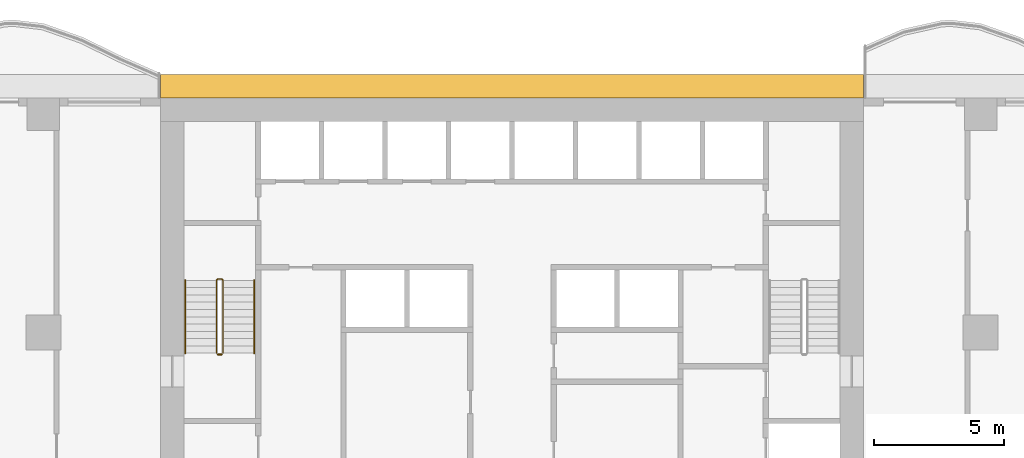
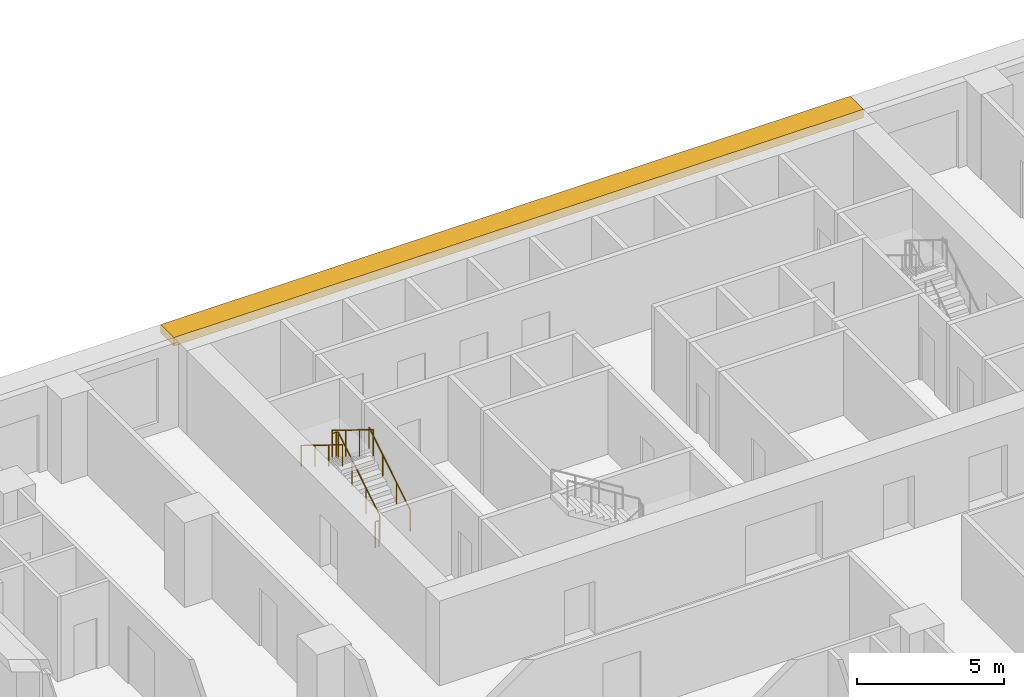
# One storey, part 12 of 14: 4 railings, 1 shading device.
"""IFC4 building model written with IfcOpenShell, lengths in metres."""

import ifcopenshell
import ifcopenshell.guid

model = None  # the IFC model being written
_history = None  # IfcOwnerHistory: only IFC2X3 demands one
_inside = {}  # id of a spatial element -> (the spatial element, [elements in it])
_under = {}  # id of a project, library or spatial element -> (it, [spatial elements below it])
_declared = {}  # id of a project -> (the project, [libraries it declares])
_typed = {}  # id of a type object -> (the type object, [elements of that type])
_made_of = {}  # id of a material, layer set ... -> (it, [elements and type objects made of it])


def new_model(schema):
    """Start an empty IFC model of exactly this schema.

    Asked for "IFC4X3", IfcOpenShell would pick the latest addendum, in which some entities
    have other attributes; the version numbers below select the first issue.
    IFC2X3 requires an IfcOwnerHistory on every rooted entity: one is made here for all.
    """
    global model, _history
    if schema == "IFC4X3":
        model = ifcopenshell.file(schema_version=(4, 3, 0, 0))
    else:
        model = ifcopenshell.file(schema=schema)
    _inside.clear()
    _under.clear()
    _declared.clear()
    _typed.clear()
    _made_of.clear()
    _history = None
    if model.schema == "IFC2X3":
        org = make("IfcOrganization", Name="unknown")
        user = make(
            "IfcPersonAndOrganization",
            ThePerson=make("IfcPerson", FamilyName="unknown"),
            TheOrganization=org,
        )
        app = make(
            "IfcApplication",
            ApplicationDeveloper=org,
            Version="unknown",
            ApplicationFullName="unknown",
            ApplicationIdentifier="unknown",
        )
        _history = make(
            "IfcOwnerHistory",
            OwningUser=user,
            OwningApplication=app,
            ChangeAction="ADDED",
            CreationDate=0,
        )
    return model


def make(cls, **values):
    """One entity of the class cls with the attributes given. An attribute that is None is left unset."""
    return model.create_entity(
        cls, **{name: value for name, value in values.items() if value is not None}
    )


def rooted(cls, **values):
    """An entity with a GlobalId (a new one), such as an element, a storey or a relation."""
    return make(cls, GlobalId=ifcopenshell.guid.new(), OwnerHistory=_history, **values)


def si_unit(unit_type, name, prefix=None):
    """IfcSIUnit, for example si_unit("LENGTHUNIT", "METRE", prefix="MILLI")."""
    return make("IfcSIUnit", UnitType=unit_type, Prefix=prefix, Name=name)


def assignment(units):
    """IfcUnitAssignment: the units of a project."""
    return None if units is None else make("IfcUnitAssignment", Units=units)


def point(xyz):
    """IfcCartesianPoint."""
    return None if xyz is None else make("IfcCartesianPoint", Coordinates=xyz)


def direction(xyz):
    """IfcDirection."""
    return None if xyz is None else make("IfcDirection", DirectionRatios=xyz)


def frame(location, z_axis=None, x_axis=None):
    """IfcAxis2Placement3D, a coordinate frame: its origin and axes. An axis left out is left unset."""
    return make(
        "IfcAxis2Placement3D",
        Location=point(location),
        Axis=direction(z_axis),
        RefDirection=direction(x_axis),
    )


def frame_2d(location, x_axis=None):
    """IfcAxis2Placement2D, a coordinate frame in the plane: its origin and x axis."""
    return make(
        "IfcAxis2Placement2D", Location=point(location), RefDirection=direction(x_axis)
    )


def origin():
    """The frame at (0, 0, 0) with its axes left unset."""
    return frame((0.0, 0.0, 0.0))


def origin_2d():
    """The frame at (0, 0) in the plane with its x axis left unset."""
    return frame_2d((0.0, 0.0))


def place(relative_to, where):
    """IfcLocalPlacement: puts the frame where relative to a parent placement (None: the world)."""
    return make(
        "IfcLocalPlacement", PlacementRelTo=relative_to, RelativePlacement=where
    )


def context(
    kind, dimensions, precision=None, world=None, true_north=None, identifier=None
):
    """IfcGeometricRepresentationContext, for example the 3D "Model" context."""
    return make(
        "IfcGeometricRepresentationContext",
        ContextIdentifier=identifier,
        ContextType=kind,
        CoordinateSpaceDimension=dimensions,
        Precision=precision,
        WorldCoordinateSystem=world,
        TrueNorth=true_north,
    )


def subcontext(parent, identifier, kind, view, scale=None):
    """IfcGeometricRepresentationSubContext, for example "Body" below "Model"."""
    return make(
        "IfcGeometricRepresentationSubContext",
        ContextIdentifier=identifier,
        ContextType=kind,
        ParentContext=parent,
        TargetScale=scale,
        TargetView=view,
    )


def project(units=None, contexts=None):
    """IfcProject with its units and contexts."""
    return rooted(
        "IfcProject",
        Name="project",
        RepresentationContexts=contexts,
        UnitsInContext=assignment(units),
    )


def spatial(cls, under=None, at=None, **own):
    """A site, building, storey or space (cls), placed at a placement, below another one or the project."""
    s = rooted(cls, ObjectPlacement=at, **own)
    if under is not None:
        _under.setdefault(under.id(), (under, []))[1].append(s)
    return s


def polyline(points):
    """IfcPolyline through the points."""
    return make("IfcPolyline", Points=[point(p) for p in points])


def profile(cls, at=None, kind="AREA", **sizes):
    """A parametric profile (cls). Its sizes go by their IFC names, for example OverallWidth=200.0."""
    return make(cls, ProfileType=kind, Position=at, **sizes)


def circle(**sizes):
    """IfcCircleProfileDef."""
    return profile("IfcCircleProfileDef", **sizes)


def outline(outer, holes=None, kind="AREA"):
    """IfcArbitraryClosedProfileDef: a profile drawn as a closed curve; with holes, ...WithVoids."""
    if holes is None:
        return make("IfcArbitraryClosedProfileDef", ProfileType=kind, OuterCurve=outer)
    return make(
        "IfcArbitraryProfileDefWithVoids",
        ProfileType=kind,
        OuterCurve=outer,
        InnerCurves=holes,
    )


def extrude(swept, where, along, depth):
    """IfcExtrudedAreaSolid: the profile swept, set in the frame where, extruded along a direction by depth."""
    return make(
        "IfcExtrudedAreaSolid",
        SweptArea=swept,
        Position=where,
        ExtrudedDirection=direction(along),
        Depth=depth,
    )


def shape(context_of_items, identifier, shape_type, items):
    """IfcShapeRepresentation: the items that make up one representation, for example the "Body"."""
    return make(
        "IfcShapeRepresentation",
        ContextOfItems=context_of_items,
        RepresentationIdentifier=identifier,
        RepresentationType=shape_type,
        Items=items,
    )


def material(Name=None, Category=None):
    """IfcMaterial."""
    return make("IfcMaterial", Name=Name, Category=Category)


def layer(
    of_material, thickness, ventilated=None, Name=None, Category=None, Priority=None
):
    """IfcMaterialLayer: one layer of a wall or slab, of a material (None: an air gap)."""
    return make(
        "IfcMaterialLayer",
        Material=of_material,
        LayerThickness=thickness,
        IsVentilated=ventilated,
        Name=Name,
        Category=Category,
        Priority=Priority,
    )


def layer_set(layers, Name=None):
    """IfcMaterialLayerSet."""
    return make("IfcMaterialLayerSet", MaterialLayers=layers, LayerSetName=Name)


def made_of(thing, what):
    """Note that an element or type object is made of a material, layer set ...; save() writes the relation."""
    if what is not None:
        _made_of.setdefault(what.id(), (what, []))[1].append(thing)
    return thing


def type_object(cls, material=None, **own):
    """A type object (cls), such as IfcWallType, which elements share."""
    return made_of(rooted(cls, **own), material)


def element(
    cls,
    number,
    at=None,
    inside=None,
    cuts=None,
    type_object=None,
    material=None,
    context=None,
    identifier="Body",
    shape_type=None,
    held_by="IfcProductDefinitionShape",
    body=None,
    shapes=None,
    **own,
):
    """One element of the class cls, such as IfcWall. Its Tag is "e" and its number.

    at: its placement. inside: the storey or other place that contains it. cuts: it is an
    opening in that element (IfcRelVoidsElement). A single representation is given by context,
    identifier, shape_type and body (its items); several are given by shapes. held_by: the class
    of the entity that holds the representations. save() writes the other relations.
    """
    e = rooted(cls, Tag="e%d" % number, ObjectPlacement=at, **own)
    if body is not None:
        shapes = [shape(context, identifier, shape_type, body)]
    if shapes is not None:
        e.Representation = make(held_by, Representations=shapes)
    if inside is not None:
        _inside.setdefault(inside.id(), (inside, []))[1].append(e)
    if cuts is not None:
        rooted(
            "IfcRelVoidsElement", RelatingBuildingElement=cuts, RelatedOpeningElement=e
        )
    if type_object is not None:
        _typed.setdefault(type_object.id(), (type_object, []))[1].append(e)
    return made_of(e, material)


def aggregate(whole, parts):
    """IfcRelAggregates: a whole, such as a stair, and the parts it consists of."""
    return rooted("IfcRelAggregates", RelatingObject=whole, RelatedObjects=parts)


def save(model, path):
    """Write the relations noted so far, then the file.

    IfcRelAggregates (storeys below a building ...), IfcRelContainedInSpatialStructure (elements
    in a storey), IfcRelDefinesByType, IfcRelAssociatesMaterial and IfcRelDeclares: one each for
    every whole, place, type object, material and project.
    """
    for whole, parts in _under.values():
        aggregate(whole, parts)
    for where, things in _inside.values():
        rooted(
            "IfcRelContainedInSpatialStructure",
            RelatedElements=things,
            RelatingStructure=where,
        )
    for kind, things in _typed.values():
        rooted("IfcRelDefinesByType", RelatedObjects=things, RelatingType=kind)
    for what, things in _made_of.values():
        rooted("IfcRelAssociatesMaterial", RelatedObjects=things, RelatingMaterial=what)
    for by, libraries in _declared.values():
        rooted("IfcRelDeclares", RelatingContext=by, RelatedDefinitions=libraries)
    model.write(path)


model = new_model("IFC4")

# Units and contexts
model_context = context("Model", 3, precision=1e-05, world=origin(), true_north=direction((0.0, 1.0)))
body_context = subcontext(model_context, "Body", "Model", "MODEL_VIEW")
ifc_project = project(units=[si_unit("LENGTHUNIT", "METRE"), si_unit("AREAUNIT", "SQUARE_METRE"), si_unit("VOLUMEUNIT", "CUBIC_METRE"), si_unit("PLANEANGLEUNIT", "RADIAN"), si_unit("MASSUNIT", "GRAM", prefix="KILO")], contexts=[model_context])

# Site, building, storey
site_placement = place(None, origin())
site = spatial("IfcSite", under=ifc_project, at=site_placement, CompositionType="ELEMENT")
building_placement = place(site_placement, origin())
building = spatial("IfcBuilding", under=site, at=building_placement, Name="Orbiselva Terraces", CompositionType="ELEMENT")
storey_placement = place(building_placement, frame((0.0, 0.0, 103.6)))
storey = spatial("IfcBuildingStorey", under=building, at=storey_placement, Name="L26", CompositionType="ELEMENT", Elevation=103.6)

# Railings
ifc_material_1 = material(Name="Stainless steel", Category="steel")
railing_type_1 = type_object("IfcRailingType", Name="CORE-GUARD-1100", PredefinedType="GUARDRAIL", material=ifc_material_1)
railing_1_placement = place(storey_placement, frame((-11.1, 12.7, 0.172727)))
element("IfcRailing", 1, at=railing_1_placement, inside=storey, type_object=railing_type_1, Name="L26 S1 stair guard 1", PredefinedType="GUARDRAIL", context=body_context, shape_type="SweptSolid", body=[
    extrude(circle(Radius=0.024, at=origin_2d()), frame((0.0, 0.0, 1.081), z_axis=(0.0, 0.851088519012, 0.52502222125), x_axis=(-1.0, 0.0, 0.0)), (0.0, 0.0, 1.0), 3.289905),
    extrude(circle(Radius=0.024, at=origin_2d()), frame((0.0, 2.8, 2.808273), z_axis=(-0.707106781187, 0.707106781187, 0.0), x_axis=(-0.707106781187, -0.707106781187, 0.0)), (0.0, 0.0, 1.0), 0.070711),
    extrude(circle(Radius=0.024, at=origin_2d()), frame((-0.05, 2.85, 2.808273), z_axis=(-1.0, 0.0, 0.0), x_axis=(0.0, -1.0, 0.0)), (0.0, 0.0, 1.0), 0.15),
    extrude(circle(Radius=0.024, at=origin_2d()), frame((-0.2, 2.85, 2.808273), z_axis=(-0.267894925557, -0.267894925557, 0.925453736133), x_axis=(0.707106781187, -0.707106781187, 0.0)), (0.0, 0.0, 1.0), 0.18664),
    extrude(circle(Radius=0.024, at=origin_2d()), frame((-0.25, 2.8, 2.981), z_axis=(0.0, -0.851088519012, 0.52502222125), x_axis=(1.0, 0.0, 0.0)), (0.0, 0.0, 1.0), 3.289905),
    extrude(circle(Radius=0.021, at=origin_2d()), origin(), (0.0, 0.0, 1.0), 1.057),
    extrude(circle(Radius=0.021, at=origin_2d()), frame((0.0, 0.933333, 0.575758)), (0.0, 0.0, 1.0), 1.057),
    extrude(circle(Radius=0.021, at=origin_2d()), frame((0.0, 1.866667, 1.151515)), (0.0, 0.0, 1.0), 1.057),
    extrude(circle(Radius=0.021, at=origin_2d()), frame((0.0, 2.8, 1.727273)), (0.0, 0.0, 1.0), 1.057),
    extrude(circle(Radius=0.021, at=origin_2d()), frame((-0.05, 2.85, 1.727273)), (0.0, 0.0, 1.0), 1.057),
    extrude(circle(Radius=0.021, at=origin_2d()), frame((-0.2, 2.85, 1.727273)), (0.0, 0.0, 1.0), 1.057),
    extrude(circle(Radius=0.021, at=origin_2d()), frame((-0.25, 2.8, 1.9)), (0.0, 0.0, 1.0), 1.057),
    extrude(circle(Radius=0.021, at=origin_2d()), frame((-0.25, 1.866667, 2.475758)), (0.0, 0.0, 1.0), 1.057),
    extrude(circle(Radius=0.021, at=origin_2d()), frame((-0.25, 0.933333, 3.051515)), (0.0, 0.0, 1.0), 1.057),
    extrude(circle(Radius=0.021, at=origin_2d()), frame((-0.25, 0.0, 3.627273)), (0.0, 0.0, 1.0), 1.057),
])
railing_2_placement = place(storey_placement, frame((-11.15, 12.65, 0.0)))
element("IfcRailing", 2, at=railing_2_placement, inside=storey, type_object=railing_type_1, Name="L26 S1 stair guard 2", PredefinedType="GUARDRAIL", context=body_context, shape_type="SweptSolid", body=[
    extrude(circle(Radius=0.024, at=origin_2d()), frame((0.0, 0.0, 1.081), z_axis=(-1.0, 0.0, 0.0), x_axis=(0.0, -1.0, 0.0)), (0.0, 0.0, 1.0), 0.15),
    extrude(circle(Radius=0.021, at=origin_2d()), origin(), (0.0, 0.0, 1.0), 1.057),
    extrude(circle(Radius=0.021, at=origin_2d()), frame((-0.15, 0.0, 0.0)), (0.0, 0.0, 1.0), 1.057),
])
railing_type_2 = type_object("IfcRailingType", Name="CORE-HANDRAIL-900", PredefinedType="HANDRAIL", material=ifc_material_1)
railing_3_placement = place(storey_placement, frame((-9.9, 12.7, 0.172727)))
element("IfcRailing", 3, at=railing_3_placement, inside=storey, type_object=railing_type_2, Name="L26 S1 stair handrail 1", PredefinedType="HANDRAIL", context=body_context, shape_type="SweptSolid", body=[
    extrude(circle(Radius=0.024, at=origin_2d()), frame((0.0, 0.0, 0.876), z_axis=(0.0, 0.851088519012, 0.52502222125), x_axis=(-1.0, 0.0, 0.0)), (0.0, 0.0, 1.0), 3.289905),
    extrude(circle(Radius=0.021, at=origin_2d()), origin(), (0.0, 0.0, 1.0), 0.852),
    extrude(circle(Radius=0.021, at=origin_2d()), frame((0.0, 0.933333, 0.575758)), (0.0, 0.0, 1.0), 0.852),
    extrude(circle(Radius=0.021, at=origin_2d()), frame((0.0, 1.866667, 1.151515)), (0.0, 0.0, 1.0), 0.852),
    extrude(circle(Radius=0.021, at=origin_2d()), frame((0.0, 2.8, 1.727273)), (0.0, 0.0, 1.0), 0.852),
])
railing_4_placement = place(storey_placement, frame((-12.55, 15.5, 2.072727)))
element("IfcRailing", 4, at=railing_4_placement, inside=storey, type_object=railing_type_2, Name="L26 S1 stair handrail 2", PredefinedType="HANDRAIL", context=body_context, shape_type="SweptSolid", body=[
    extrude(circle(Radius=0.024, at=origin_2d()), frame((0.0, 0.0, 0.876), z_axis=(0.0, -0.851088519012, 0.52502222125), x_axis=(1.0, 0.0, 0.0)), (0.0, 0.0, 1.0), 3.289905),
    extrude(circle(Radius=0.021, at=origin_2d()), origin(), (0.0, 0.0, 1.0), 0.852),
    extrude(circle(Radius=0.021, at=origin_2d()), frame((0.0, -0.933333, 0.575758)), (0.0, 0.0, 1.0), 0.852),
    extrude(circle(Radius=0.021, at=origin_2d()), frame((0.0, -1.866667, 1.151515)), (0.0, 0.0, 1.0), 0.852),
    extrude(circle(Radius=0.021, at=origin_2d()), frame((0.0, -2.8, 1.727273)), (0.0, 0.0, 1.0), 0.852),
])

# Shading device
ifc_material_2 = material(Name="Terracotta baguette sunshade", Category="masonry")
ifc_layer = layer(ifc_material_2, 0.35)
ifc_layer_set = layer_set([ifc_layer], Name="Terracotta baguette sunshade")
shading_device_type = type_object("IfcShadingDeviceType", Name="ENV-SUNSHADE-900x350", PredefinedType="USERDEFINED", material=ifc_layer_set)
shading_device_placement = place(storey_placement, frame((0.0, 0.0, 3.15)))
element("IfcShadingDevice", 5, at=shading_device_placement, inside=storey, type_object=shading_device_type, Name="Sunshade band L26 CORE NORTH", ObjectType="SUNSHADE", PredefinedType="USERDEFINED", context=body_context, shape_type="SweptSolid", body=[
    extrude(outline(polyline([(13.5, 23.4), (-13.5, 23.4), (-13.5, 22.5), (13.5, 22.5), (13.5, 23.4)])), origin(), (0.0, 0.0, 1.0), 0.35),
])

save(model, "model.ifc")
